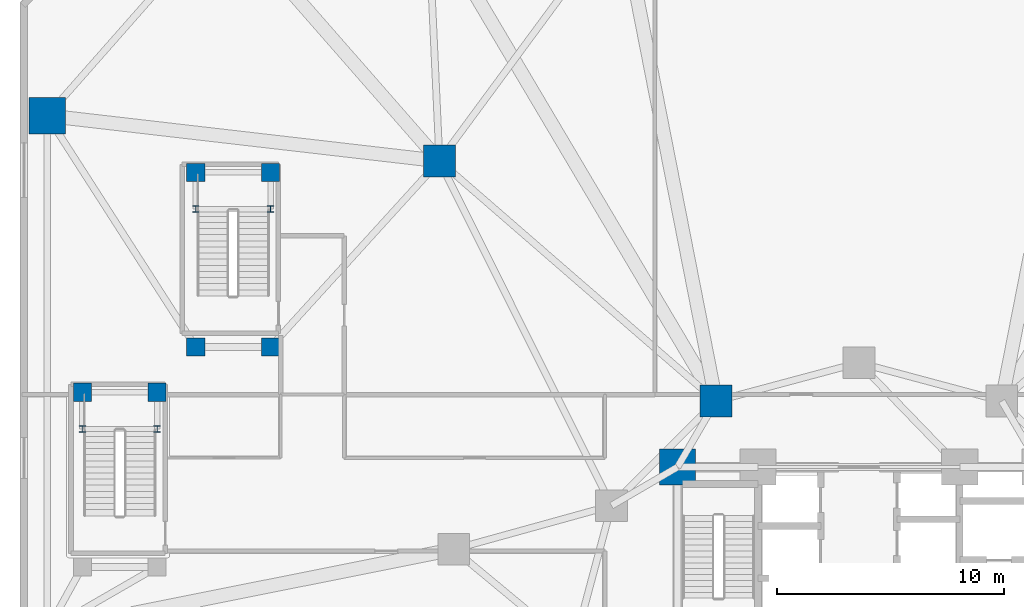
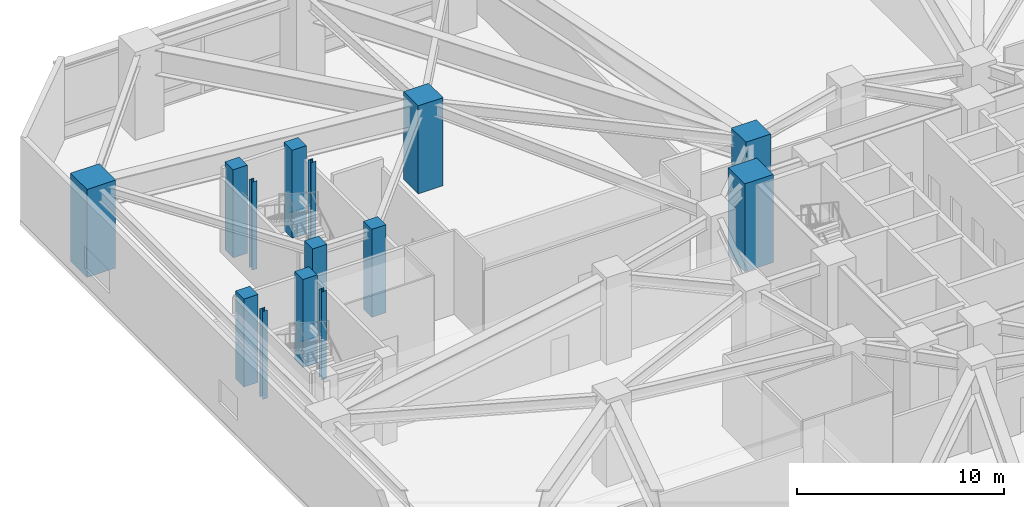
# One storey, part 2 of 28: 14 columns.
"""IFC4 building model written with IfcOpenShell, lengths in metres."""

import ifcopenshell
import ifcopenshell.guid

model = None  # the IFC model being written
_history = None  # IfcOwnerHistory: only IFC2X3 demands one
_inside = {}  # id of a spatial element -> (the spatial element, [elements in it])
_under = {}  # id of a project, library or spatial element -> (it, [spatial elements below it])
_declared = {}  # id of a project -> (the project, [libraries it declares])
_typed = {}  # id of a type object -> (the type object, [elements of that type])
_made_of = {}  # id of a material, layer set ... -> (it, [elements and type objects made of it])


def new_model(schema):
    """Start an empty IFC model of exactly this schema.

    Asked for "IFC4X3", IfcOpenShell would pick the latest addendum, in which some entities
    have other attributes; the version numbers below select the first issue.
    IFC2X3 requires an IfcOwnerHistory on every rooted entity: one is made here for all.
    """
    global model, _history
    if schema == "IFC4X3":
        model = ifcopenshell.file(schema_version=(4, 3, 0, 0))
    else:
        model = ifcopenshell.file(schema=schema)
    _inside.clear()
    _under.clear()
    _declared.clear()
    _typed.clear()
    _made_of.clear()
    _history = None
    if model.schema == "IFC2X3":
        org = make("IfcOrganization", Name="unknown")
        user = make(
            "IfcPersonAndOrganization",
            ThePerson=make("IfcPerson", FamilyName="unknown"),
            TheOrganization=org,
        )
        app = make(
            "IfcApplication",
            ApplicationDeveloper=org,
            Version="unknown",
            ApplicationFullName="unknown",
            ApplicationIdentifier="unknown",
        )
        _history = make(
            "IfcOwnerHistory",
            OwningUser=user,
            OwningApplication=app,
            ChangeAction="ADDED",
            CreationDate=0,
        )
    return model


def make(cls, **values):
    """One entity of the class cls with the attributes given. An attribute that is None is left unset."""
    return model.create_entity(
        cls, **{name: value for name, value in values.items() if value is not None}
    )


def rooted(cls, **values):
    """An entity with a GlobalId (a new one), such as an element, a storey or a relation."""
    return make(cls, GlobalId=ifcopenshell.guid.new(), OwnerHistory=_history, **values)


def si_unit(unit_type, name, prefix=None):
    """IfcSIUnit, for example si_unit("LENGTHUNIT", "METRE", prefix="MILLI")."""
    return make("IfcSIUnit", UnitType=unit_type, Prefix=prefix, Name=name)


def assignment(units):
    """IfcUnitAssignment: the units of a project."""
    return None if units is None else make("IfcUnitAssignment", Units=units)


def point(xyz):
    """IfcCartesianPoint."""
    return None if xyz is None else make("IfcCartesianPoint", Coordinates=xyz)


def direction(xyz):
    """IfcDirection."""
    return None if xyz is None else make("IfcDirection", DirectionRatios=xyz)


def frame(location, z_axis=None, x_axis=None):
    """IfcAxis2Placement3D, a coordinate frame: its origin and axes. An axis left out is left unset."""
    return make(
        "IfcAxis2Placement3D",
        Location=point(location),
        Axis=direction(z_axis),
        RefDirection=direction(x_axis),
    )


def frame_2d(location, x_axis=None):
    """IfcAxis2Placement2D, a coordinate frame in the plane: its origin and x axis."""
    return make(
        "IfcAxis2Placement2D", Location=point(location), RefDirection=direction(x_axis)
    )


def origin():
    """The frame at (0, 0, 0) with its axes left unset."""
    return frame((0.0, 0.0, 0.0))


def origin_2d():
    """The frame at (0, 0) in the plane with its x axis left unset."""
    return frame_2d((0.0, 0.0))


def place(relative_to, where):
    """IfcLocalPlacement: puts the frame where relative to a parent placement (None: the world)."""
    return make(
        "IfcLocalPlacement", PlacementRelTo=relative_to, RelativePlacement=where
    )


def context(
    kind, dimensions, precision=None, world=None, true_north=None, identifier=None
):
    """IfcGeometricRepresentationContext, for example the 3D "Model" context."""
    return make(
        "IfcGeometricRepresentationContext",
        ContextIdentifier=identifier,
        ContextType=kind,
        CoordinateSpaceDimension=dimensions,
        Precision=precision,
        WorldCoordinateSystem=world,
        TrueNorth=true_north,
    )


def subcontext(parent, identifier, kind, view, scale=None):
    """IfcGeometricRepresentationSubContext, for example "Body" below "Model"."""
    return make(
        "IfcGeometricRepresentationSubContext",
        ContextIdentifier=identifier,
        ContextType=kind,
        ParentContext=parent,
        TargetScale=scale,
        TargetView=view,
    )


def project(units=None, contexts=None):
    """IfcProject with its units and contexts."""
    return rooted(
        "IfcProject",
        Name="project",
        RepresentationContexts=contexts,
        UnitsInContext=assignment(units),
    )


def spatial(cls, under=None, at=None, **own):
    """A site, building, storey or space (cls), placed at a placement, below another one or the project."""
    s = rooted(cls, ObjectPlacement=at, **own)
    if under is not None:
        _under.setdefault(under.id(), (under, []))[1].append(s)
    return s


def profile(cls, at=None, kind="AREA", **sizes):
    """A parametric profile (cls). Its sizes go by their IFC names, for example OverallWidth=200.0."""
    return make(cls, ProfileType=kind, Position=at, **sizes)


def rectangle(**sizes):
    """IfcRectangleProfileDef."""
    return profile("IfcRectangleProfileDef", **sizes)


def i_section(**sizes):
    """IfcIShapeProfileDef."""
    return profile("IfcIShapeProfileDef", **sizes)


def extrude(swept, where, along, depth):
    """IfcExtrudedAreaSolid: the profile swept, set in the frame where, extruded along a direction by depth."""
    return make(
        "IfcExtrudedAreaSolid",
        SweptArea=swept,
        Position=where,
        ExtrudedDirection=direction(along),
        Depth=depth,
    )


def shape(context_of_items, identifier, shape_type, items):
    """IfcShapeRepresentation: the items that make up one representation, for example the "Body"."""
    return make(
        "IfcShapeRepresentation",
        ContextOfItems=context_of_items,
        RepresentationIdentifier=identifier,
        RepresentationType=shape_type,
        Items=items,
    )


def material(Name=None, Category=None):
    """IfcMaterial."""
    return make("IfcMaterial", Name=Name, Category=Category)


def material_profile(
    of_material, cross_section, Name=None, Category=None, Priority=None
):
    """IfcMaterialProfile: a cross section and its material."""
    return make(
        "IfcMaterialProfile",
        Name=Name,
        Material=of_material,
        Profile=cross_section,
        Priority=Priority,
        Category=Category,
    )


def profile_set(profiles, Name=None, composite=None):
    """IfcMaterialProfileSet."""
    return make(
        "IfcMaterialProfileSet",
        Name=Name,
        MaterialProfiles=profiles,
        CompositeProfile=composite,
    )


def made_of(thing, what):
    """Note that an element or type object is made of a material, layer set ...; save() writes the relation."""
    if what is not None:
        _made_of.setdefault(what.id(), (what, []))[1].append(thing)
    return thing


def type_object(cls, material=None, **own):
    """A type object (cls), such as IfcWallType, which elements share."""
    return made_of(rooted(cls, **own), material)


def element(
    cls,
    number,
    at=None,
    inside=None,
    cuts=None,
    type_object=None,
    material=None,
    context=None,
    identifier="Body",
    shape_type=None,
    held_by="IfcProductDefinitionShape",
    body=None,
    shapes=None,
    **own,
):
    """One element of the class cls, such as IfcWall. Its Tag is "e" and its number.

    at: its placement. inside: the storey or other place that contains it. cuts: it is an
    opening in that element (IfcRelVoidsElement). A single representation is given by context,
    identifier, shape_type and body (its items); several are given by shapes. held_by: the class
    of the entity that holds the representations. save() writes the other relations.
    """
    e = rooted(cls, Tag="e%d" % number, ObjectPlacement=at, **own)
    if body is not None:
        shapes = [shape(context, identifier, shape_type, body)]
    if shapes is not None:
        e.Representation = make(held_by, Representations=shapes)
    if inside is not None:
        _inside.setdefault(inside.id(), (inside, []))[1].append(e)
    if cuts is not None:
        rooted(
            "IfcRelVoidsElement", RelatingBuildingElement=cuts, RelatedOpeningElement=e
        )
    if type_object is not None:
        _typed.setdefault(type_object.id(), (type_object, []))[1].append(e)
    return made_of(e, material)


def aggregate(whole, parts):
    """IfcRelAggregates: a whole, such as a stair, and the parts it consists of."""
    return rooted("IfcRelAggregates", RelatingObject=whole, RelatedObjects=parts)


def save(model, path):
    """Write the relations noted so far, then the file.

    IfcRelAggregates (storeys below a building ...), IfcRelContainedInSpatialStructure (elements
    in a storey), IfcRelDefinesByType, IfcRelAssociatesMaterial and IfcRelDeclares: one each for
    every whole, place, type object, material and project.
    """
    for whole, parts in _under.values():
        aggregate(whole, parts)
    for where, things in _inside.values():
        rooted(
            "IfcRelContainedInSpatialStructure",
            RelatedElements=things,
            RelatingStructure=where,
        )
    for kind, things in _typed.values():
        rooted("IfcRelDefinesByType", RelatedObjects=things, RelatingType=kind)
    for what, things in _made_of.values():
        rooted("IfcRelAssociatesMaterial", RelatedObjects=things, RelatingMaterial=what)
    for by, libraries in _declared.values():
        rooted("IfcRelDeclares", RelatingContext=by, RelatedDefinitions=libraries)
    model.write(path)


model = new_model("IFC4")

# Units and contexts
model_context = context("Model", 3, precision=1e-05, world=origin(), true_north=direction((0.0, 1.0)))
body_context = subcontext(model_context, "Body", "Model", "MODEL_VIEW")
ifc_project = project(units=[si_unit("LENGTHUNIT", "METRE"), si_unit("AREAUNIT", "SQUARE_METRE"), si_unit("VOLUMEUNIT", "CUBIC_METRE"), si_unit("PLANEANGLEUNIT", "RADIAN"), si_unit("MASSUNIT", "GRAM", prefix="KILO")], contexts=[model_context])

# Site, building, storey
site_placement = place(None, origin())
site = spatial("IfcSite", under=ifc_project, at=site_placement, CompositionType="ELEMENT")
building_placement = place(site_placement, origin())
building = spatial("IfcBuilding", under=site, at=building_placement, Name="Terralouvre Media Tower", CompositionType="ELEMENT")
storey_placement = place(building_placement, frame((0.0, 0.0, 10.39990234375)))
storey = spatial("IfcBuildingStorey", under=building, at=storey_placement, Name="L02", CompositionType="ELEMENT", Elevation=10.39990234375)

# Columns
ifc_material_1 = material(Name="Structural steel S355J2", Category="steel")
ifc_material_profile_1 = material_profile(ifc_material_1, i_section(OverallWidth=0.280029296875, OverallDepth=0.280029296875, WebThickness=0.010498046875, FlangeThickness=0.01806640625, at=origin_2d()), Name="HEB 280")
ifc_profile_set_1 = profile_set([ifc_material_profile_1], Name="Structural steel S355J2")
column_type_1 = type_object("IfcColumnType", Name="Basement Aisle Pilaster PL-HEB280 (HEB 280)", PredefinedType="PILASTER", material=ifc_profile_set_1)
for number, where, z_axis, x_axis, name in (
    (1, (-34.25, 9.679931640625, 0.0), (0.0, 0.0, 1.0), (1.0, 0.0, 0.0), "L02 Stair Half-Landing Post ST3CLP1"),
    (2, (-30.949951171875, 9.679931640625, 0.0), (0.0, 0.0, 1.0), (1.0, 0.0, 0.0), "L02 Stair Half-Landing Post ST3CLP2"),
    (3, (-29.25, 19.3798828125, 0.0), (0.0, 0.0, 1.0), (1.0, 0.0, 0.0), "L02 Stair Half-Landing Post ST6CLP1"),
    (4, (-25.949951171875, 19.3798828125, 0.0), (0.0, 0.0, 1.0), (1.0, 0.0, 0.0), "L02 Stair Half-Landing Post ST6CLP2"),
):
    element("IfcColumn", number, at=place(storey_placement, frame(where, z_axis=z_axis, x_axis=x_axis)), inside=storey, type_object=column_type_1, Name=name, PredefinedType="PILASTER", context=body_context, shape_type="SweptSolid", body=[
        extrude(i_section(OverallWidth=0.280029296875, OverallDepth=0.280029296875, WebThickness=0.010498046875, FlangeThickness=0.01806640625, at=origin_2d()), origin(), (0.0, 0.0, 1.0), 5.2001953125),
    ])
ifc_material_2 = material(Name="Concrete C60/75", Category="concrete")
ifc_material_profile_2 = material_profile(ifc_material_2, rectangle(XDim=1.39990234375, YDim=1.39990234375, at=origin_2d()), Name="RC 1400x1400")
ifc_profile_set_2 = profile_set([ifc_material_profile_2], Name="Concrete C60/75")
column_type_2 = type_object("IfcColumnType", Name="Structural Column C-RC1400 (RC 1400x1400)", PredefinedType="COLUMN", material=ifc_profile_set_2)
for number, where, z_axis, x_axis, name in (
    (5, (-6.300048828125, 10.911865234375, 0.0), (0.0, 0.0, 1.0), (1.0, 0.0, 0.0), "L02 Mega-Frame Column MC05"),
    (6, (-18.5, 21.5, 0.0), (0.0, 0.0, 1.0), (1.0, 0.0, 0.0), "L02 Podium Transfer Column PM19"),
):
    element("IfcColumn", number, at=place(storey_placement, frame(where, z_axis=z_axis, x_axis=x_axis)), inside=storey, type_object=column_type_2, Name=name, PredefinedType="COLUMN", context=body_context, shape_type="SweptSolid", body=[
        extrude(rectangle(XDim=1.39990234375, YDim=1.39990234375, at=origin_2d()), origin(), (0.0, 0.0, 1.0), 5.2001953125),
    ])
ifc_material_3 = material(Name="Concrete C60/75", Category="concrete")
ifc_material_profile_3 = material_profile(ifc_material_3, rectangle(XDim=1.60009765625, YDim=1.60009765625, at=origin_2d()), Name="RC 1600x1600")
ifc_profile_set_3 = profile_set([ifc_material_profile_3], Name="Concrete C60/75")
column_type_3 = type_object("IfcColumnType", Name="Structural Column C-RC1600 (RC 1600x1600)", PredefinedType="COLUMN", material=ifc_profile_set_3)
for number, where, z_axis, x_axis, name in (
    (7, (-8.0, 8.0, 0.0), (0.0, 0.0, 1.0), (1.0, 0.0, 0.0), "L02 Core Pilaster Column CP7"),
    (8, (-35.800048828125, 23.5, 0.0), (0.0, 0.0, 1.0), (1.0, 0.0, 0.0), "L02 Perimeter Mega-Column PM16"),
):
    element("IfcColumn", number, at=place(storey_placement, frame(where, z_axis=z_axis, x_axis=x_axis)), inside=storey, type_object=column_type_3, Name=name, PredefinedType="COLUMN", context=body_context, shape_type="SweptSolid", body=[
        extrude(rectangle(XDim=1.60009765625, YDim=1.60009765625, at=origin_2d()), origin(), (0.0, 0.0, 1.0), 5.2001953125),
    ])
ifc_material_4 = material(Name="Concrete C50/60", Category="concrete")
ifc_material_profile_4 = material_profile(ifc_material_4, rectangle(XDim=0.800048828125, YDim=0.800048828125, at=origin_2d()), Name="RC 800x800")
ifc_profile_set_4 = profile_set([ifc_material_profile_4], Name="Concrete C50/60")
column_type_4 = type_object("IfcColumnType", Name="Structural Column C-RC800 (RC 800x800)", PredefinedType="COLUMN", material=ifc_profile_set_4)
for number, where, z_axis, x_axis, name in (
    (9, (-30.949951171875, 11.300048828125, 0.0), (0.0, 0.0, 1.0), (1.0, 0.0, 0.0), "L02 Stair Pavilion Support Column ST3C3"),
    (10, (-34.25, 11.300048828125, 0.0), (0.0, 0.0, 1.0), (1.0, 0.0, 0.0), "L02 Stair Pavilion Support Column ST3C4"),
    (11, (-29.25, 13.300048828125, 0.0), (0.0, 0.0, 1.0), (1.0, 0.0, 0.0), "L02 Stair Pavilion Support Column ST6C1"),
    (12, (-25.949951171875, 13.300048828125, 0.0), (0.0, 0.0, 1.0), (1.0, 0.0, 0.0), "L02 Stair Pavilion Support Column ST6C2"),
    (13, (-25.949951171875, 21.0, 0.0), (0.0, 0.0, 1.0), (1.0, 0.0, 0.0), "L02 Stair Pavilion Support Column ST6C3"),
    (14, (-29.25, 21.0, 0.0), (0.0, 0.0, 1.0), (1.0, 0.0, 0.0), "L02 Stair Pavilion Support Column ST6C4"),
):
    element("IfcColumn", number, at=place(storey_placement, frame(where, z_axis=z_axis, x_axis=x_axis)), inside=storey, type_object=column_type_4, Name=name, PredefinedType="COLUMN", context=body_context, shape_type="SweptSolid", body=[
        extrude(rectangle(XDim=0.800048828125, YDim=0.800048828125, at=origin_2d()), origin(), (0.0, 0.0, 1.0), 5.2001953125),
    ])

save(model, "model.ifc")
